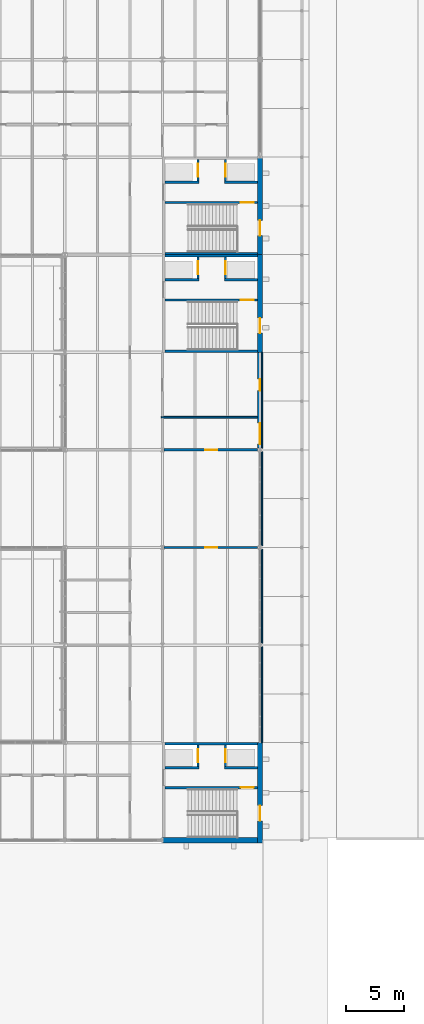
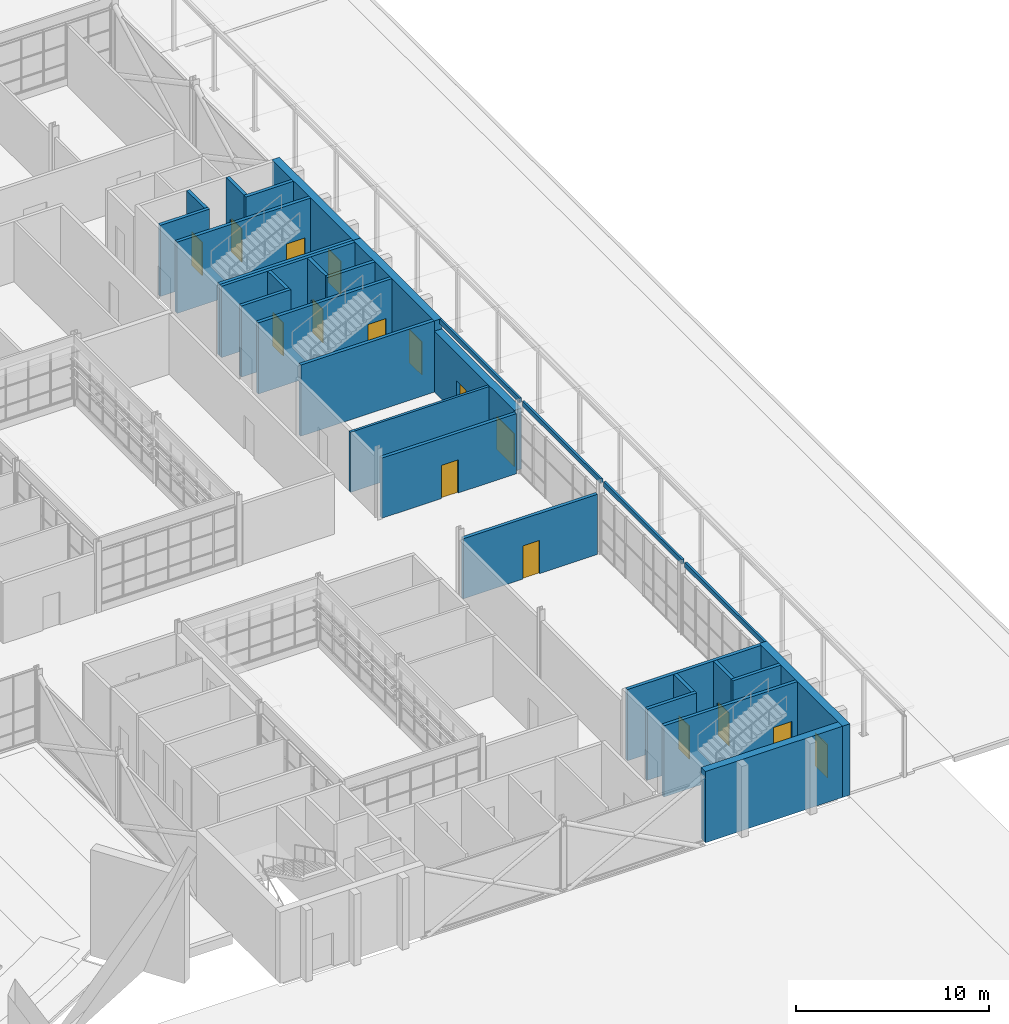
# One storey, part 95 of 116: 31 walls, 16 doors, 16 openings.
"""IFC4 building model written with IfcOpenShell, lengths in metres."""

from ifc_helpers import new_model, si_unit, direction, frame, frame_2d, origin, place, context, subcontext, project, spatial, rectangle, extrude, material, layer, layer_set, type_object, element, fill, save


model = new_model("IFC4")

# Units and contexts
model_context = context("Model", 3, precision=1e-05, world=origin(), true_north=direction((0.0, 1.0)))
body_context = subcontext(model_context, "Body", "Model", "MODEL_VIEW")
ifc_project = project(units=[si_unit("LENGTHUNIT", "METRE"), si_unit("AREAUNIT", "SQUARE_METRE"), si_unit("VOLUMEUNIT", "CUBIC_METRE"), si_unit("PLANEANGLEUNIT", "RADIAN"), si_unit("MASSUNIT", "GRAM", prefix="KILO")], contexts=[model_context])

# Site, building, storey
site_placement = place(None, origin())
site = spatial("IfcSite", under=ifc_project, at=site_placement, CompositionType="ELEMENT")
building_placement = place(site_placement, origin())
building = spatial("IfcBuilding", under=site, at=building_placement, Name="Ardhachandra Cancer Care Centre", CompositionType="ELEMENT")
storey_placement = place(building_placement, origin())
storey = spatial("IfcBuildingStorey", under=building, at=storey_placement, Name="L00", CompositionType="ELEMENT", Elevation=0.0)

# Walls
ifc_material_1 = material(Name="Precast Concrete M30 fascia panel with granite bands", Category="masonry")
ifc_layer_1 = layer(ifc_material_1, 0.1298828125)
ifc_layer_set_1 = layer_set([ifc_layer_1], Name="Precast Concrete M30 fascia panel with granite bands")
wall_type_1 = type_object("IfcWallType", Name="Banded edge beam fascia 130", PredefinedType="SOLIDWALL", material=ifc_layer_set_1)
wall_1_placement = place(storey_placement, frame((145.360107421875, 37.800048828125, 4.201904296875), z_axis=(0.0, 0.0, 1.0), x_axis=(0.0, 1.0, 0.0)))
element("IfcWall", 1, at=wall_1_placement, inside=storey, type_object=wall_type_1, Name="E/fascia/L00/e/0145200_0037800", PredefinedType="SOLIDWALL", context=body_context, shape_type="SweptSolid", body=[
    extrude(rectangle(XDim=8.2548828125, YDim=0.1298828125, at=frame_2d((4.12744140625, 0.0))), origin(), (0.0, 0.0, 1.0), 0.298095703125),
])
wall_2_placement = place(storey_placement, frame((145.360107421875, 46.344970703125, 4.201904296875), z_axis=(0.0, 0.0, 1.0), x_axis=(0.0, 1.0, 0.0)))
element("IfcWall", 2, at=wall_2_placement, inside=storey, type_object=wall_type_1, Name="E/fascia/L00/e/0145200_0046200", PredefinedType="SOLIDWALL", context=body_context, shape_type="SweptSolid", body=[
    extrude(rectangle(XDim=8.110107421875, YDim=0.1298828125, at=frame_2d((4.05517578125, 0.0))), origin(), (0.0, 0.0, 1.0), 0.298095703125),
])
wall_3_placement = place(storey_placement, frame((145.360107421875, 54.7451171875, 4.201904296875), z_axis=(0.0, 0.0, 1.0), x_axis=(0.0, 1.0, 0.0)))
element("IfcWall", 3, at=wall_3_placement, inside=storey, type_object=wall_type_1, Name="E/fascia/L00/e/0145200_0054600", PredefinedType="SOLIDWALL", context=body_context, shape_type="SweptSolid", body=[
    extrude(rectangle(XDim=8.10986328125, YDim=0.1298828125, at=frame_2d((4.054931640625, 0.0))), origin(), (0.0, 0.0, 1.0), 0.298095703125),
])
wall_4_placement = place(storey_placement, frame((145.360107421875, 63.14501953125, 4.201904296875), z_axis=(0.0, 0.0, 1.0), x_axis=(0.0, 1.0, 0.0)))
element("IfcWall", 4, at=wall_4_placement, inside=storey, type_object=wall_type_1, Name="E/fascia/L00/e/0145200_0063000", PredefinedType="SOLIDWALL", context=body_context, shape_type="SweptSolid", body=[
    extrude(rectangle(XDim=8.2548828125, YDim=0.1298828125, at=frame_2d((4.12744140625, 0.0))), origin(), (0.0, 0.0, 1.0), 0.298095703125),
])

# Wall, openings, doors
ifc_material_2 = material(Name="Brick masonry (clay brick, cement mortar) with mineral wool cavity insulation", Category="masonry")
ifc_layer_2 = layer(ifc_material_2, 0.449951171875)
ifc_layer_set_2 = layer_set([ifc_layer_2], Name="Brick masonry (clay brick, cement mortar) with mineral wool cavity insulation")
wall_type_2 = type_object("IfcWallType", Name="Brick wall 450", PredefinedType="SOLIDWALL", material=ifc_layer_set_2)
wall_5_placement = place(storey_placement, frame((145.199951171875, 63.14501953125, 0.0), z_axis=(0.0, 0.0, 1.0), x_axis=(0.0, 1.0, 0.0)))
wall_5 = element("IfcWall", 5, at=wall_5_placement, inside=storey, type_object=wall_type_2, Name="E/wall/L00/e/0145200_0063000", PredefinedType="SOLIDWALL", context=body_context, shape_type="SweptSolid", body=[
    extrude(rectangle(XDim=8.2548828125, YDim=0.449951171875, at=frame_2d((4.12744140625, 0.0))), origin(), (0.0, 0.0, 1.0), 3.85009765625),
])
opening_1_placement = place(wall_5_placement, frame((0.35498046875, 0.0, 0.0)))
opening_1 = element("IfcOpeningElement", 6, at=opening_1_placement, cuts=wall_5, Name="Opening L00-X03", PredefinedType="OPENING", context=body_context, shape_type="SweptSolid", body=[
    extrude(rectangle(XDim=1.800048828125, YDim=2.10009765625, at=frame_2d((0.89990234375, 1.050048828125))), frame((0.0, 0.23486328125, 0.0), z_axis=(0.0, -1.0, 0.0), x_axis=(1.0, 0.0, 0.0)), (0.0, 0.0, 1.0), 0.469970703125),
])
opening_2_placement = place(wall_5_placement, frame((4.955078125, 0.0, 0.0)))
opening_2 = element("IfcOpeningElement", 7, at=opening_2_placement, cuts=wall_5, Name="Opening L00-X21", PredefinedType="OPENING", context=body_context, shape_type="SweptSolid", body=[
    extrude(rectangle(XDim=1.0, YDim=2.10009765625, at=frame_2d((0.5, 1.050048828125))), frame((0.0, 0.23486328125, 0.0), z_axis=(0.0, -1.0, 0.0), x_axis=(1.0, 0.0, 0.0)), (0.0, 0.0, 1.0), 0.469970703125),
])
ifc_material_3 = material(Name="Hollow steel door set with fire-rated infill", Category="steel")
door_type_1 = type_object("IfcDoorType", Name="Exit door pair 1800 x 2100", OperationType="DOUBLE_DOOR_SINGLE_SWING", PredefinedType="DOOR", material=ifc_material_3)
door_1_placement = place(opening_1_placement, origin())
door_1 = element("IfcDoor", 8, at=door_1_placement, inside=storey, type_object=door_type_1, Name="Shop East Exit Door L00-X03", OperationType="SINGLE_SWING_LEFT", OverallHeight=2.10009765625, OverallWidth=1.800048828125, PredefinedType="DOOR", context=body_context, shape_type="SweptSolid", body=[
    extrude(rectangle(XDim=1.800048828125, YDim=2.10009765625, at=frame_2d((0.89990234375, 1.050048828125))), frame((0.0, 0.02490234375, 0.0), z_axis=(0.0, -1.0, 0.0), x_axis=(1.0, 0.0, 0.0)), (0.0, 0.0, 1.0), 0.050048828125),
])
fill(opening_1, door_1)
ifc_material_4 = material(Name="Hollow steel door set with fire-rated infill", Category="steel")
door_type_2 = type_object("IfcDoorType", Name="Service door leaf 1000 x 2100", OperationType="NOTDEFINED", PredefinedType="DOOR", material=ifc_material_4)
door_2_placement = place(opening_2_placement, origin())
door_2 = element("IfcDoor", 9, at=door_2_placement, inside=storey, type_object=door_type_2, Name="Fire Brigade Access Door L00-X21", OperationType="SINGLE_SWING_LEFT", OverallHeight=2.10009765625, OverallWidth=1.0, PredefinedType="DOOR", context=body_context, shape_type="SweptSolid", body=[
    extrude(rectangle(XDim=1.0, YDim=2.10009765625, at=frame_2d((0.5, 1.050048828125))), frame((0.0, 0.02490234375, 0.0), z_axis=(0.0, -1.0, 0.0), x_axis=(1.0, 0.0, 0.0)), (0.0, 0.0, 1.0), 0.050048828125),
])
fill(opening_2, door_2)

# Wall, opening, door
ifc_material_5 = material(Name="Gypsum board corridor partition on steel studs", Category="steel")
ifc_layer_3 = layer(ifc_material_5, 0.199951171875)
ifc_layer_set_3 = layer_set([ifc_layer_3], Name="Gypsum board corridor partition on steel studs")
wall_type_3 = type_object("IfcWallType", Name="CORRIDOR WALL 200", PredefinedType="PARTITIONING", material=ifc_layer_set_3)
wall_6_placement = place(storey_placement, frame((136.949951171875, 54.60009765625, 0.0), z_axis=(0.0, 0.0, 1.0), x_axis=(1.0, 0.0, 0.0)))
wall_6 = element("IfcWall", 10, at=wall_6_placement, inside=storey, type_object=wall_type_3, Name="R/wall/L00/h0054600_0136950", PredefinedType="PARTITIONING", context=body_context, shape_type="SweptSolid", body=[
    extrude(rectangle(XDim=8.025146484375, YDim=0.199951171875, at=frame_2d((4.0126953125, 0.0))), origin(), (0.0, 0.0, 1.0), 3.800048828125),
])
opening_3_placement = place(wall_6_placement, frame((3.550048828125, 0.0, 0.0)))
opening_3 = element("IfcOpeningElement", 11, at=opening_3_placement, cuts=wall_6, Name="Opening L00-0014", PredefinedType="OPENING", context=body_context, shape_type="SweptSolid", body=[
    extrude(rectangle(XDim=1.0, YDim=2.10009765625, at=frame_2d((0.5, 1.050048828125))), frame((0.0, 0.10986328125, 0.0), z_axis=(0.0, -1.0, 0.0), x_axis=(1.0, 0.0, 0.0)), (0.0, 0.0, 1.0), 0.219970703125),
])
ifc_material_6 = material(Name="Timber fire door with smoke seals", Category="wood")
door_type_3 = type_object("IfcDoorType", Name="FIRE DOOR SINGLE 1000x2100 FD30S", OperationType="NOTDEFINED", PredefinedType="DOOR", material=ifc_material_6)
door_3_placement = place(opening_3_placement, origin())
door_3 = element("IfcDoor", 12, at=door_3_placement, inside=storey, type_object=door_type_3, Name="Door L00-0014", OperationType="SINGLE_SWING_RIGHT", OverallHeight=2.10009765625, OverallWidth=1.0, PredefinedType="DOOR", context=body_context, shape_type="SweptSolid", body=[
    extrude(rectangle(XDim=1.0, YDim=2.10009765625, at=frame_2d((0.5, 1.050048828125))), frame((0.0, 0.02490234375, 0.0), z_axis=(0.0, -1.0, 0.0), x_axis=(1.0, 0.0, 0.0)), (0.0, 0.0, 1.0), 0.050048828125),
])
fill(opening_3, door_3)

wall_7_placement = place(storey_placement, frame((136.949951171875, 63.0, 0.0), z_axis=(0.0, 0.0, 1.0), x_axis=(1.0, 0.0, 0.0)))
wall_7 = element("IfcWall", 13, at=wall_7_placement, inside=storey, type_object=wall_type_3, Name="R/wall/L00/h0063000_0136950", PredefinedType="PARTITIONING", context=body_context, shape_type="SweptSolid", body=[
    extrude(rectangle(XDim=8.025146484375, YDim=0.199951171875, at=frame_2d((4.0126953125, 0.0))), origin(), (0.0, 0.0, 1.0), 3.800048828125),
])
opening_4_placement = place(wall_7_placement, frame((3.550048828125, 0.0, 0.0)))
opening_4 = element("IfcOpeningElement", 14, at=opening_4_placement, cuts=wall_7, Name="Opening L00-0016", PredefinedType="OPENING", context=body_context, shape_type="SweptSolid", body=[
    extrude(rectangle(XDim=1.0, YDim=2.10009765625, at=frame_2d((0.5, 1.050048828125))), frame((0.0, 0.10986328125, 0.0), z_axis=(0.0, -1.0, 0.0), x_axis=(1.0, 0.0, 0.0)), (0.0, 0.0, 1.0), 0.219970703125),
])
door_4_placement = place(opening_4_placement, origin())
door_4 = element("IfcDoor", 15, at=door_4_placement, inside=storey, type_object=door_type_3, Name="Door L00-0016", OperationType="SINGLE_SWING_LEFT", OverallHeight=2.10009765625, OverallWidth=1.0, PredefinedType="DOOR", context=body_context, shape_type="SweptSolid", body=[
    extrude(rectangle(XDim=1.0, YDim=2.10009765625, at=frame_2d((0.5, 1.050048828125))), frame((0.0, 0.02490234375, 0.0), z_axis=(0.0, -1.0, 0.0), x_axis=(1.0, 0.0, 0.0)), (0.0, 0.0, 1.0), 0.050048828125),
])
fill(opening_4, door_4)

ifc_material_7 = material(Name="Concrete M40", Category="concrete")
ifc_layer_4 = layer(ifc_material_7, 0.449951171875)
ifc_layer_set_4 = layer_set([ifc_layer_4], Name="Concrete M40")
wall_type_4 = type_object("IfcWallType", Name="Core exterior wall RC 450", PredefinedType="SOLIDWALL", material=ifc_layer_set_4)
wall_8_placement = place(storey_placement, frame((145.199951171875, 29.175048828125, 0.0), z_axis=(0.0, 0.0, 1.0), x_axis=(0.0, 1.0, 0.0)))
wall_8 = element("IfcWall", 16, at=wall_8_placement, inside=storey, type_object=wall_type_4, Name="Core wall K9 FAR", PredefinedType="SOLIDWALL", context=body_context, shape_type="SweptSolid", body=[
    extrude(rectangle(XDim=8.625, YDim=0.449951171875, at=frame_2d((4.3125, 0.0))), origin(), (0.0, 0.0, 1.0), 4.5),
])
opening_5_placement = place(wall_8_placement, frame((1.89990234375, 0.0, 0.0)))
opening_5 = element("IfcOpeningElement", 17, at=opening_5_placement, cuts=wall_8, Name="Opening L00-K09-5", PredefinedType="OPENING", context=body_context, shape_type="SweptSolid", body=[
    extrude(rectangle(XDim=1.300048828125, YDim=2.10009765625, at=frame_2d((0.64990234375, 1.050048828125))), frame((0.0, 0.23486328125, 0.0), z_axis=(0.0, -1.0, 0.0), x_axis=(1.0, 0.0, 0.0)), (0.0, 0.0, 1.0), 0.469970703125),
])
ifc_material_8 = material(Name="Steel door set", Category="steel")
door_type_4 = type_object("IfcDoorType", Name="Core exit double door 1300x2100 FD60S", OperationType="DOUBLE_DOOR_DOUBLE_SWING", PredefinedType="DOOR", material=ifc_material_8)
door_5_placement = place(opening_5_placement, origin())
door_5 = element("IfcDoor", 18, at=door_5_placement, inside=storey, type_object=door_type_4, Name="Stair exit door", OperationType="DOUBLE_DOOR_DOUBLE_SWING", OverallHeight=2.10009765625, OverallWidth=1.300048828125, PredefinedType="DOOR", context=body_context, shape_type="SweptSolid", body=[
    extrude(rectangle(XDim=1.300048828125, YDim=2.10009765625, at=frame_2d((0.64990234375, 1.050048828125))), frame((0.0, 0.02490234375, 0.0), z_axis=(0.0, -1.0, 0.0), x_axis=(1.0, 0.0, 0.0)), (0.0, 0.0, 1.0), 0.050048828125),
])
fill(opening_5, door_5)

# Wall
wall_9_placement = place(storey_placement, frame((136.800048828125, 29.39990234375, 0.0), z_axis=(0.0, 0.0, 1.0), x_axis=(1.0, 0.0, 0.0)))
element("IfcWall", 19, at=wall_9_placement, inside=storey, type_object=wall_type_4, Name="Core wall K9 UW", PredefinedType="SOLIDWALL", context=body_context, shape_type="SweptSolid", body=[
    extrude(rectangle(XDim=8.175048828125, YDim=0.449951171875, at=frame_2d((4.08740234375, 0.0))), origin(), (0.0, 0.0, 1.0), 4.5),
])

# Wall, opening, door
wall_10_placement = place(storey_placement, frame((145.199951171875, 71.39990234375, 0.0), z_axis=(0.0, 0.0, 1.0), x_axis=(0.0, 1.0, 0.0)))
wall_10 = element("IfcWall", 20, at=wall_10_placement, inside=storey, type_object=wall_type_4, Name="Core wall K10 FAR", PredefinedType="SOLIDWALL", context=body_context, shape_type="SweptSolid", body=[
    extrude(rectangle(XDim=8.400146484375, YDim=0.449951171875, at=frame_2d((4.2001953125, 0.0))), origin(), (0.0, 0.0, 1.0), 4.5),
])
opening_6_placement = place(wall_10_placement, frame((1.64990234375, 0.0, 0.0)))
opening_6 = element("IfcOpeningElement", 21, at=opening_6_placement, cuts=wall_10, Name="Opening L00-K10-5", PredefinedType="OPENING", context=body_context, shape_type="SweptSolid", body=[
    extrude(rectangle(XDim=1.300048828125, YDim=2.10009765625, at=frame_2d((0.64990234375, 1.050048828125))), frame((0.0, 0.23486328125, 0.0), z_axis=(0.0, -1.0, 0.0), x_axis=(1.0, 0.0, 0.0)), (0.0, 0.0, 1.0), 0.469970703125),
])
door_6_placement = place(opening_6_placement, origin())
door_6 = element("IfcDoor", 22, at=door_6_placement, inside=storey, type_object=door_type_4, Name="Stair exit door", OperationType="DOUBLE_DOOR_DOUBLE_SWING", OverallHeight=2.10009765625, OverallWidth=1.300048828125, PredefinedType="DOOR", context=body_context, shape_type="SweptSolid", body=[
    extrude(rectangle(XDim=1.300048828125, YDim=2.10009765625, at=frame_2d((0.64990234375, 1.050048828125))), frame((0.0, 0.02490234375, 0.0), z_axis=(0.0, -1.0, 0.0), x_axis=(1.0, 0.0, 0.0)), (0.0, 0.0, 1.0), 0.050048828125),
])
fill(opening_6, door_6)

wall_11_placement = place(storey_placement, frame((145.199951171875, 79.800048828125, 0.0), z_axis=(0.0, 0.0, 1.0), x_axis=(0.0, 1.0, 0.0)))
wall_11 = element("IfcWall", 23, at=wall_11_placement, inside=storey, type_object=wall_type_4, Name="Core wall K13 FAR", PredefinedType="SOLIDWALL", context=body_context, shape_type="SweptSolid", body=[
    extrude(rectangle(XDim=8.39990234375, YDim=0.449951171875, at=frame_2d((4.199951171875, 0.0))), origin(), (0.0, 0.0, 1.0), 4.5),
])
opening_7_placement = place(wall_11_placement, frame((1.64990234375, 0.0, 0.0)))
opening_7 = element("IfcOpeningElement", 24, at=opening_7_placement, cuts=wall_11, Name="Opening L00-K13-5", PredefinedType="OPENING", context=body_context, shape_type="SweptSolid", body=[
    extrude(rectangle(XDim=1.300048828125, YDim=2.10009765625, at=frame_2d((0.64990234375, 1.050048828125))), frame((0.0, 0.23486328125, 0.0), z_axis=(0.0, -1.0, 0.0), x_axis=(1.0, 0.0, 0.0)), (0.0, 0.0, 1.0), 0.469970703125),
])
door_7_placement = place(opening_7_placement, origin())
door_7 = element("IfcDoor", 25, at=door_7_placement, inside=storey, type_object=door_type_4, Name="Stair exit door", OperationType="DOUBLE_DOOR_DOUBLE_SWING", OverallHeight=2.10009765625, OverallWidth=1.300048828125, PredefinedType="DOOR", context=body_context, shape_type="SweptSolid", body=[
    extrude(rectangle(XDim=1.300048828125, YDim=2.10009765625, at=frame_2d((0.64990234375, 1.050048828125))), frame((0.0, 0.02490234375, 0.0), z_axis=(0.0, -1.0, 0.0), x_axis=(1.0, 0.0, 0.0)), (0.0, 0.0, 1.0), 0.050048828125),
])
fill(opening_7, door_7)

# Wall
ifc_material_9 = material(Name="Concrete M40", Category="concrete")
ifc_layer_5 = layer(ifc_material_9, 0.199951171875)
ifc_layer_set_5 = layer_set([ifc_layer_5], Name="Concrete M40")
wall_type_5 = type_object("IfcWallType", Name="Core wall RC 200", PredefinedType="SOLIDWALL", material=ifc_layer_set_5)
wall_12_placement = place(storey_placement, frame((137.0, 37.699951171875, 0.0), z_axis=(0.0, 0.0, 1.0), x_axis=(1.0, 0.0, 0.0)))
element("IfcWall", 26, at=wall_12_placement, inside=storey, type_object=wall_type_5, Name="Core wall K9 UE", PredefinedType="SOLIDWALL", context=body_context, shape_type="SweptSolid", body=[
    extrude(rectangle(XDim=7.97509765625, YDim=0.199951171875, at=frame_2d((3.987548828125, 0.0))), origin(), (0.0, 0.0, 1.0), 4.5),
])

# Wall, opening, door
wall_13_placement = place(storey_placement, frame((137.0, 33.925048828125, 0.0), z_axis=(0.0, 0.0, 1.0), x_axis=(1.0, 0.0, 0.0)))
wall_13 = element("IfcWall", 27, at=wall_13_placement, inside=storey, type_object=wall_type_5, Name="Core wall K9 P1", PredefinedType="SOLIDWALL", context=body_context, shape_type="SweptSolid", body=[
    extrude(rectangle(XDim=7.97509765625, YDim=0.199951171875, at=frame_2d((3.987548828125, 0.0))), origin(), (0.0, 0.0, 1.0), 4.5),
])
opening_8_placement = place(wall_13_placement, frame((6.53759765625, 0.0, 0.0)))
opening_8 = element("IfcOpeningElement", 28, at=opening_8_placement, cuts=wall_13, Name="Opening L00-K09-2", PredefinedType="OPENING", context=body_context, shape_type="SweptSolid", body=[
    extrude(rectangle(XDim=1.10009765625, YDim=2.10009765625, at=frame_2d((0.550048828125, 1.050048828125))), frame((0.0, 0.10986328125, 0.0), z_axis=(0.0, -1.0, 0.0), x_axis=(1.0, 0.0, 0.0)), (0.0, 0.0, 1.0), 0.219970703125),
])
ifc_material_10 = material(Name="Steel door set", Category="steel")
door_type_5 = type_object("IfcDoorType", Name="Stair door 1100x2100 FD60S", OperationType="NOTDEFINED", PredefinedType="DOOR", material=ifc_material_10)
door_8_placement = place(opening_8_placement, origin())
door_8 = element("IfcDoor", 29, at=door_8_placement, inside=storey, type_object=door_type_5, Name="Stair door", OperationType="SINGLE_SWING_LEFT", OverallHeight=2.10009765625, OverallWidth=1.10009765625, PredefinedType="DOOR", context=body_context, shape_type="SweptSolid", body=[
    extrude(rectangle(XDim=1.10009765625, YDim=2.10009765625, at=frame_2d((0.550048828125, 1.050048828125))), frame((0.0, 0.02490234375, 0.0), z_axis=(0.0, -1.0, 0.0), x_axis=(1.0, 0.0, 0.0)), (0.0, 0.0, 1.0), 0.050048828125),
])
fill(opening_8, door_8)

# Walls
wall_14_placement = place(storey_placement, frame((137.0, 35.64990234375, 0.0), z_axis=(0.0, 0.0, 1.0), x_axis=(1.0, 0.0, 0.0)))
element("IfcWall", 30, at=wall_14_placement, inside=storey, type_object=wall_type_5, Name="Core wall K9 P2A", PredefinedType="SOLIDWALL", context=body_context, shape_type="SweptSolid", body=[
    extrude(rectangle(XDim=2.949951171875, YDim=0.199951171875, at=frame_2d((1.47509765625, 0.0))), origin(), (0.0, 0.0, 1.0), 4.5),
])
wall_15_placement = place(storey_placement, frame((142.125, 35.64990234375, 0.0), z_axis=(0.0, 0.0, 1.0), x_axis=(1.0, 0.0, 0.0)))
element("IfcWall", 31, at=wall_15_placement, inside=storey, type_object=wall_type_5, Name="Core wall K9 P2B", PredefinedType="SOLIDWALL", context=body_context, shape_type="SweptSolid", body=[
    extrude(rectangle(XDim=2.85009765625, YDim=0.199951171875, at=frame_2d((1.425048828125, 0.0))), origin(), (0.0, 0.0, 1.0), 4.5),
])

# Wall, opening, door
wall_16_placement = place(storey_placement, frame((139.85009765625, 35.75, 0.0), z_axis=(0.0, 0.0, 1.0), x_axis=(0.0, 1.0, 0.0)))
wall_16 = element("IfcWall", 32, at=wall_16_placement, inside=storey, type_object=wall_type_5, Name="Core wall K9 W1", PredefinedType="SOLIDWALL", context=body_context, shape_type="SweptSolid", body=[
    extrude(rectangle(XDim=1.85009765625, YDim=0.199951171875, at=frame_2d((0.925048828125, 0.0))), origin(), (0.0, 0.0, 1.0), 4.5),
])
opening_9_placement = place(wall_16_placement, frame((0.375, 0.0, 0.0)))
opening_9 = element("IfcOpeningElement", 33, at=opening_9_placement, cuts=wall_16, Name="Opening L00-K09-3", PredefinedType="OPENING", context=body_context, shape_type="SweptSolid", body=[
    extrude(rectangle(XDim=1.10009765625, YDim=2.10009765625, at=frame_2d((0.550048828125, 1.050048828125))), frame((0.0, 0.10986328125, 0.0), z_axis=(0.0, -1.0, 0.0), x_axis=(1.0, 0.0, 0.0)), (0.0, 0.0, 1.0), 0.219970703125),
])
ifc_material_11 = material(Name="Stainless steel (grade 304)", Category="steel")
door_type_6 = type_object("IfcDoorType", Name="Lift landing door 1100x2100", OperationType="DOUBLE_DOOR_SLIDING", PredefinedType="DOOR", material=ifc_material_11)
door_9_placement = place(opening_9_placement, origin())
door_9 = element("IfcDoor", 34, at=door_9_placement, inside=storey, type_object=door_type_6, Name="Lift landing door LF-K9-1", OperationType="DOUBLE_DOOR_SLIDING", OverallHeight=2.10009765625, OverallWidth=1.10009765625, PredefinedType="DOOR", context=body_context, shape_type="SweptSolid", body=[
    extrude(rectangle(XDim=1.10009765625, YDim=2.10009765625, at=frame_2d((0.550048828125, 1.050048828125))), frame((0.0, 0.02490234375, 0.0), z_axis=(0.0, -1.0, 0.0), x_axis=(1.0, 0.0, 0.0)), (0.0, 0.0, 1.0), 0.050048828125),
])
fill(opening_9, door_9)

wall_17_placement = place(storey_placement, frame((142.22509765625, 35.75, 0.0), z_axis=(0.0, 0.0, 1.0), x_axis=(0.0, 1.0, 0.0)))
wall_17 = element("IfcWall", 35, at=wall_17_placement, inside=storey, type_object=wall_type_5, Name="Core wall K9 W2", PredefinedType="SOLIDWALL", context=body_context, shape_type="SweptSolid", body=[
    extrude(rectangle(XDim=1.85009765625, YDim=0.199951171875, at=frame_2d((0.925048828125, 0.0))), origin(), (0.0, 0.0, 1.0), 4.5),
])
opening_10_placement = place(wall_17_placement, frame((0.375, 0.0, 0.0)))
opening_10 = element("IfcOpeningElement", 36, at=opening_10_placement, cuts=wall_17, Name="Opening L00-K09-4", PredefinedType="OPENING", context=body_context, shape_type="SweptSolid", body=[
    extrude(rectangle(XDim=1.10009765625, YDim=2.10009765625, at=frame_2d((0.550048828125, 1.050048828125))), frame((0.0, 0.10986328125, 0.0), z_axis=(0.0, -1.0, 0.0), x_axis=(1.0, 0.0, 0.0)), (0.0, 0.0, 1.0), 0.219970703125),
])
door_10_placement = place(opening_10_placement, origin())
door_10 = element("IfcDoor", 37, at=door_10_placement, inside=storey, type_object=door_type_6, Name="Lift landing door LF-K9-2", OperationType="DOUBLE_DOOR_SLIDING", OverallHeight=2.10009765625, OverallWidth=1.10009765625, PredefinedType="DOOR", context=body_context, shape_type="SweptSolid", body=[
    extrude(rectangle(XDim=1.10009765625, YDim=2.10009765625, at=frame_2d((0.550048828125, 1.050048828125))), frame((0.0, 0.02490234375, 0.0), z_axis=(0.0, -1.0, 0.0), x_axis=(1.0, 0.0, 0.0)), (0.0, 0.0, 1.0), 0.050048828125),
])
fill(opening_10, door_10)

# Walls
for number, where, z_axis, x_axis, name in (
    (38, (137.0, 71.5, 0.0), (0.0, 0.0, 1.0), (1.0, 0.0, 0.0), "Core wall K10 UW"),
    (39, (137.0, 79.699951171875, 0.0), (0.0, 0.0, 1.0), (1.0, 0.0, 0.0), "Core wall K10 UE"),
):
    element("IfcWall", number, at=place(storey_placement, frame(where, z_axis=z_axis, x_axis=x_axis)), inside=storey, type_object=wall_type_5, Name=name, PredefinedType="SOLIDWALL", context=body_context, shape_type="SweptSolid", body=[
        extrude(rectangle(XDim=7.97509765625, YDim=0.199951171875, at=frame_2d((3.987548828125, 0.0))), origin(), (0.0, 0.0, 1.0), 4.5),
    ])

# Wall, opening, door
wall_18_placement = place(storey_placement, frame((137.0, 75.89990234375, 0.0), z_axis=(0.0, 0.0, 1.0), x_axis=(1.0, 0.0, 0.0)))
wall_18 = element("IfcWall", 40, at=wall_18_placement, inside=storey, type_object=wall_type_5, Name="Core wall K10 P1", PredefinedType="SOLIDWALL", context=body_context, shape_type="SweptSolid", body=[
    extrude(rectangle(XDim=7.97509765625, YDim=0.199951171875, at=frame_2d((3.987548828125, 0.0))), origin(), (0.0, 0.0, 1.0), 4.5),
])
opening_11_placement = place(wall_18_placement, frame((6.53759765625, 0.0, 0.0)))
opening_11 = element("IfcOpeningElement", 41, at=opening_11_placement, cuts=wall_18, Name="Opening L00-K10-2", PredefinedType="OPENING", context=body_context, shape_type="SweptSolid", body=[
    extrude(rectangle(XDim=1.10009765625, YDim=2.10009765625, at=frame_2d((0.550048828125, 1.050048828125))), frame((0.0, 0.10986328125, 0.0), z_axis=(0.0, -1.0, 0.0), x_axis=(1.0, 0.0, 0.0)), (0.0, 0.0, 1.0), 0.219970703125),
])
door_11_placement = place(opening_11_placement, origin())
door_11 = element("IfcDoor", 42, at=door_11_placement, inside=storey, type_object=door_type_5, Name="Stair door", OperationType="SINGLE_SWING_LEFT", OverallHeight=2.10009765625, OverallWidth=1.10009765625, PredefinedType="DOOR", context=body_context, shape_type="SweptSolid", body=[
    extrude(rectangle(XDim=1.10009765625, YDim=2.10009765625, at=frame_2d((0.550048828125, 1.050048828125))), frame((0.0, 0.02490234375, 0.0), z_axis=(0.0, -1.0, 0.0), x_axis=(1.0, 0.0, 0.0)), (0.0, 0.0, 1.0), 0.050048828125),
])
fill(opening_11, door_11)

# Walls
wall_19_placement = place(storey_placement, frame((137.0, 77.64990234375, 0.0), z_axis=(0.0, 0.0, 1.0), x_axis=(1.0, 0.0, 0.0)))
element("IfcWall", 43, at=wall_19_placement, inside=storey, type_object=wall_type_5, Name="Core wall K10 P2A", PredefinedType="SOLIDWALL", context=body_context, shape_type="SweptSolid", body=[
    extrude(rectangle(XDim=2.949951171875, YDim=0.199951171875, at=frame_2d((1.47509765625, 0.0))), origin(), (0.0, 0.0, 1.0), 4.5),
])
wall_20_placement = place(storey_placement, frame((142.125, 77.64990234375, 0.0), z_axis=(0.0, 0.0, 1.0), x_axis=(1.0, 0.0, 0.0)))
element("IfcWall", 44, at=wall_20_placement, inside=storey, type_object=wall_type_5, Name="Core wall K10 P2B", PredefinedType="SOLIDWALL", context=body_context, shape_type="SweptSolid", body=[
    extrude(rectangle(XDim=2.85009765625, YDim=0.199951171875, at=frame_2d((1.425048828125, 0.0))), origin(), (0.0, 0.0, 1.0), 4.5),
])

# Wall, opening, door
wall_21_placement = place(storey_placement, frame((139.85009765625, 77.75, 0.0), z_axis=(0.0, 0.0, 1.0), x_axis=(0.0, 1.0, 0.0)))
wall_21 = element("IfcWall", 45, at=wall_21_placement, inside=storey, type_object=wall_type_5, Name="Core wall K10 W1", PredefinedType="SOLIDWALL", context=body_context, shape_type="SweptSolid", body=[
    extrude(rectangle(XDim=1.85009765625, YDim=0.199951171875, at=frame_2d((0.925048828125, 0.0))), origin(), (0.0, 0.0, 1.0), 4.5),
])
opening_12_placement = place(wall_21_placement, frame((0.375, 0.0, 0.0)))
opening_12 = element("IfcOpeningElement", 46, at=opening_12_placement, cuts=wall_21, Name="Opening L00-K10-3", PredefinedType="OPENING", context=body_context, shape_type="SweptSolid", body=[
    extrude(rectangle(XDim=1.10009765625, YDim=2.10009765625, at=frame_2d((0.550048828125, 1.050048828125))), frame((0.0, 0.10986328125, 0.0), z_axis=(0.0, -1.0, 0.0), x_axis=(1.0, 0.0, 0.0)), (0.0, 0.0, 1.0), 0.219970703125),
])
door_12_placement = place(opening_12_placement, origin())
door_12 = element("IfcDoor", 47, at=door_12_placement, inside=storey, type_object=door_type_6, Name="Lift landing door LF-K10-1", OperationType="DOUBLE_DOOR_SLIDING", OverallHeight=2.10009765625, OverallWidth=1.10009765625, PredefinedType="DOOR", context=body_context, shape_type="SweptSolid", body=[
    extrude(rectangle(XDim=1.10009765625, YDim=2.10009765625, at=frame_2d((0.550048828125, 1.050048828125))), frame((0.0, 0.02490234375, 0.0), z_axis=(0.0, -1.0, 0.0), x_axis=(1.0, 0.0, 0.0)), (0.0, 0.0, 1.0), 0.050048828125),
])
fill(opening_12, door_12)

wall_22_placement = place(storey_placement, frame((142.22509765625, 77.75, 0.0), z_axis=(0.0, 0.0, 1.0), x_axis=(0.0, 1.0, 0.0)))
wall_22 = element("IfcWall", 48, at=wall_22_placement, inside=storey, type_object=wall_type_5, Name="Core wall K10 W2", PredefinedType="SOLIDWALL", context=body_context, shape_type="SweptSolid", body=[
    extrude(rectangle(XDim=1.85009765625, YDim=0.199951171875, at=frame_2d((0.925048828125, 0.0))), origin(), (0.0, 0.0, 1.0), 4.5),
])
opening_13_placement = place(wall_22_placement, frame((0.375, 0.0, 0.0)))
opening_13 = element("IfcOpeningElement", 49, at=opening_13_placement, cuts=wall_22, Name="Opening L00-K10-4", PredefinedType="OPENING", context=body_context, shape_type="SweptSolid", body=[
    extrude(rectangle(XDim=1.10009765625, YDim=2.10009765625, at=frame_2d((0.550048828125, 1.050048828125))), frame((0.0, 0.10986328125, 0.0), z_axis=(0.0, -1.0, 0.0), x_axis=(1.0, 0.0, 0.0)), (0.0, 0.0, 1.0), 0.219970703125),
])
door_13_placement = place(opening_13_placement, origin())
door_13 = element("IfcDoor", 50, at=door_13_placement, inside=storey, type_object=door_type_6, Name="Lift landing door LF-K10-2", OperationType="DOUBLE_DOOR_SLIDING", OverallHeight=2.10009765625, OverallWidth=1.10009765625, PredefinedType="DOOR", context=body_context, shape_type="SweptSolid", body=[
    extrude(rectangle(XDim=1.10009765625, YDim=2.10009765625, at=frame_2d((0.550048828125, 1.050048828125))), frame((0.0, 0.02490234375, 0.0), z_axis=(0.0, -1.0, 0.0), x_axis=(1.0, 0.0, 0.0)), (0.0, 0.0, 1.0), 0.050048828125),
])
fill(opening_13, door_13)

# Wall
wall_23_placement = place(storey_placement, frame((137.0, 79.89990234375, 0.0), z_axis=(0.0, 0.0, 1.0), x_axis=(1.0, 0.0, 0.0)))
element("IfcWall", 51, at=wall_23_placement, inside=storey, type_object=wall_type_5, Name="Core wall K13 UW", PredefinedType="SOLIDWALL", context=body_context, shape_type="SweptSolid", body=[
    extrude(rectangle(XDim=7.97509765625, YDim=0.199951171875, at=frame_2d((3.987548828125, 0.0))), origin(), (0.0, 0.0, 1.0), 4.5),
])

# Wall, opening, door
wall_24_placement = place(storey_placement, frame((137.0, 84.300048828125, 0.0), z_axis=(0.0, 0.0, 1.0), x_axis=(1.0, 0.0, 0.0)))
wall_24 = element("IfcWall", 52, at=wall_24_placement, inside=storey, type_object=wall_type_5, Name="Core wall K13 P1", PredefinedType="SOLIDWALL", context=body_context, shape_type="SweptSolid", body=[
    extrude(rectangle(XDim=7.97509765625, YDim=0.199951171875, at=frame_2d((3.987548828125, 0.0))), origin(), (0.0, 0.0, 1.0), 4.5),
])
opening_14_placement = place(wall_24_placement, frame((6.53759765625, 0.0, 0.0)))
opening_14 = element("IfcOpeningElement", 53, at=opening_14_placement, cuts=wall_24, Name="Opening L00-K13-2", PredefinedType="OPENING", context=body_context, shape_type="SweptSolid", body=[
    extrude(rectangle(XDim=1.10009765625, YDim=2.10009765625, at=frame_2d((0.550048828125, 1.050048828125))), frame((0.0, 0.10986328125, 0.0), z_axis=(0.0, -1.0, 0.0), x_axis=(1.0, 0.0, 0.0)), (0.0, 0.0, 1.0), 0.219970703125),
])
door_14_placement = place(opening_14_placement, origin())
door_14 = element("IfcDoor", 54, at=door_14_placement, inside=storey, type_object=door_type_5, Name="Stair door", OperationType="SINGLE_SWING_LEFT", OverallHeight=2.10009765625, OverallWidth=1.10009765625, PredefinedType="DOOR", context=body_context, shape_type="SweptSolid", body=[
    extrude(rectangle(XDim=1.10009765625, YDim=2.10009765625, at=frame_2d((0.550048828125, 1.050048828125))), frame((0.0, 0.02490234375, 0.0), z_axis=(0.0, -1.0, 0.0), x_axis=(1.0, 0.0, 0.0)), (0.0, 0.0, 1.0), 0.050048828125),
])
fill(opening_14, door_14)

# Walls
wall_25_placement = place(storey_placement, frame((137.0, 86.050048828125, 0.0), z_axis=(0.0, 0.0, 1.0), x_axis=(1.0, 0.0, 0.0)))
element("IfcWall", 55, at=wall_25_placement, inside=storey, type_object=wall_type_5, Name="Core wall K13 P2A", PredefinedType="SOLIDWALL", context=body_context, shape_type="SweptSolid", body=[
    extrude(rectangle(XDim=2.949951171875, YDim=0.199951171875, at=frame_2d((1.47509765625, 0.0))), origin(), (0.0, 0.0, 1.0), 4.5),
])
wall_26_placement = place(storey_placement, frame((142.125, 86.050048828125, 0.0), z_axis=(0.0, 0.0, 1.0), x_axis=(1.0, 0.0, 0.0)))
element("IfcWall", 56, at=wall_26_placement, inside=storey, type_object=wall_type_5, Name="Core wall K13 P2B", PredefinedType="SOLIDWALL", context=body_context, shape_type="SweptSolid", body=[
    extrude(rectangle(XDim=2.85009765625, YDim=0.199951171875, at=frame_2d((1.425048828125, 0.0))), origin(), (0.0, 0.0, 1.0), 4.5),
])

# Wall, opening, door
wall_27_placement = place(storey_placement, frame((139.85009765625, 86.14990234375, 0.0), z_axis=(0.0, 0.0, 1.0), x_axis=(0.0, 1.0, 0.0)))
wall_27 = element("IfcWall", 57, at=wall_27_placement, inside=storey, type_object=wall_type_5, Name="Core wall K13 W1", PredefinedType="SOLIDWALL", context=body_context, shape_type="SweptSolid", body=[
    extrude(rectangle(XDim=1.85009765625, YDim=0.199951171875, at=frame_2d((0.925048828125, 0.0))), origin(), (0.0, 0.0, 1.0), 4.5),
])
opening_15_placement = place(wall_27_placement, frame((0.375, 0.0, 0.0)))
opening_15 = element("IfcOpeningElement", 58, at=opening_15_placement, cuts=wall_27, Name="Opening L00-K13-3", PredefinedType="OPENING", context=body_context, shape_type="SweptSolid", body=[
    extrude(rectangle(XDim=1.10009765625, YDim=2.10009765625, at=frame_2d((0.550048828125, 1.050048828125))), frame((0.0, 0.10986328125, 0.0), z_axis=(0.0, -1.0, 0.0), x_axis=(1.0, 0.0, 0.0)), (0.0, 0.0, 1.0), 0.219970703125),
])
door_15_placement = place(opening_15_placement, origin())
door_15 = element("IfcDoor", 59, at=door_15_placement, inside=storey, type_object=door_type_6, Name="Lift landing door LF-K13-1", OperationType="DOUBLE_DOOR_SLIDING", OverallHeight=2.10009765625, OverallWidth=1.10009765625, PredefinedType="DOOR", context=body_context, shape_type="SweptSolid", body=[
    extrude(rectangle(XDim=1.10009765625, YDim=2.10009765625, at=frame_2d((0.550048828125, 1.050048828125))), frame((0.0, 0.02490234375, 0.0), z_axis=(0.0, -1.0, 0.0), x_axis=(1.0, 0.0, 0.0)), (0.0, 0.0, 1.0), 0.050048828125),
])
fill(opening_15, door_15)

wall_28_placement = place(storey_placement, frame((142.22509765625, 86.14990234375, 0.0), z_axis=(0.0, 0.0, 1.0), x_axis=(0.0, 1.0, 0.0)))
wall_28 = element("IfcWall", 60, at=wall_28_placement, inside=storey, type_object=wall_type_5, Name="Core wall K13 W2", PredefinedType="SOLIDWALL", context=body_context, shape_type="SweptSolid", body=[
    extrude(rectangle(XDim=1.85009765625, YDim=0.199951171875, at=frame_2d((0.925048828125, 0.0))), origin(), (0.0, 0.0, 1.0), 4.5),
])
opening_16_placement = place(wall_28_placement, frame((0.375, 0.0, 0.0)))
opening_16 = element("IfcOpeningElement", 61, at=opening_16_placement, cuts=wall_28, Name="Opening L00-K13-4", PredefinedType="OPENING", context=body_context, shape_type="SweptSolid", body=[
    extrude(rectangle(XDim=1.10009765625, YDim=2.10009765625, at=frame_2d((0.550048828125, 1.050048828125))), frame((0.0, 0.10986328125, 0.0), z_axis=(0.0, -1.0, 0.0), x_axis=(1.0, 0.0, 0.0)), (0.0, 0.0, 1.0), 0.219970703125),
])
door_16_placement = place(opening_16_placement, origin())
door_16 = element("IfcDoor", 62, at=door_16_placement, inside=storey, type_object=door_type_6, Name="Lift landing door LF-K13-2", OperationType="DOUBLE_DOOR_SLIDING", OverallHeight=2.10009765625, OverallWidth=1.10009765625, PredefinedType="DOOR", context=body_context, shape_type="SweptSolid", body=[
    extrude(rectangle(XDim=1.10009765625, YDim=2.10009765625, at=frame_2d((0.550048828125, 1.050048828125))), frame((0.0, 0.02490234375, 0.0), z_axis=(0.0, -1.0, 0.0), x_axis=(1.0, 0.0, 0.0)), (0.0, 0.0, 1.0), 0.050048828125),
])
fill(opening_16, door_16)

# Wall
ifc_material_12 = material(Name="Gypsum board partition on steel studs", Category="steel")
ifc_layer_6 = layer(ifc_material_12, 0.14990234375)
ifc_layer_set_6 = layer_set([ifc_layer_6], Name="Gypsum board partition on steel studs")
wall_type_6 = type_object("IfcWallType", Name="PARTITION 150 EI 120", PredefinedType="PARTITIONING", material=ifc_layer_set_6)
wall_29_placement = place(storey_placement, frame((136.699951171875, 65.800048828125, 0.0), z_axis=(0.0, 0.0, 1.0), x_axis=(1.0, 0.0, 0.0)))
element("IfcWall", 63, at=wall_29_placement, inside=storey, type_object=wall_type_6, Name="R/wall/L00/h0065800_0136700", PredefinedType="PARTITIONING", context=body_context, shape_type="SweptSolid", body=[
    extrude(rectangle(XDim=8.275146484375, YDim=0.14990234375, at=frame_2d((4.1376953125, 0.0))), origin(), (0.0, 0.0, 1.0), 3.800048828125),
])

save(model, "model.ifc")
